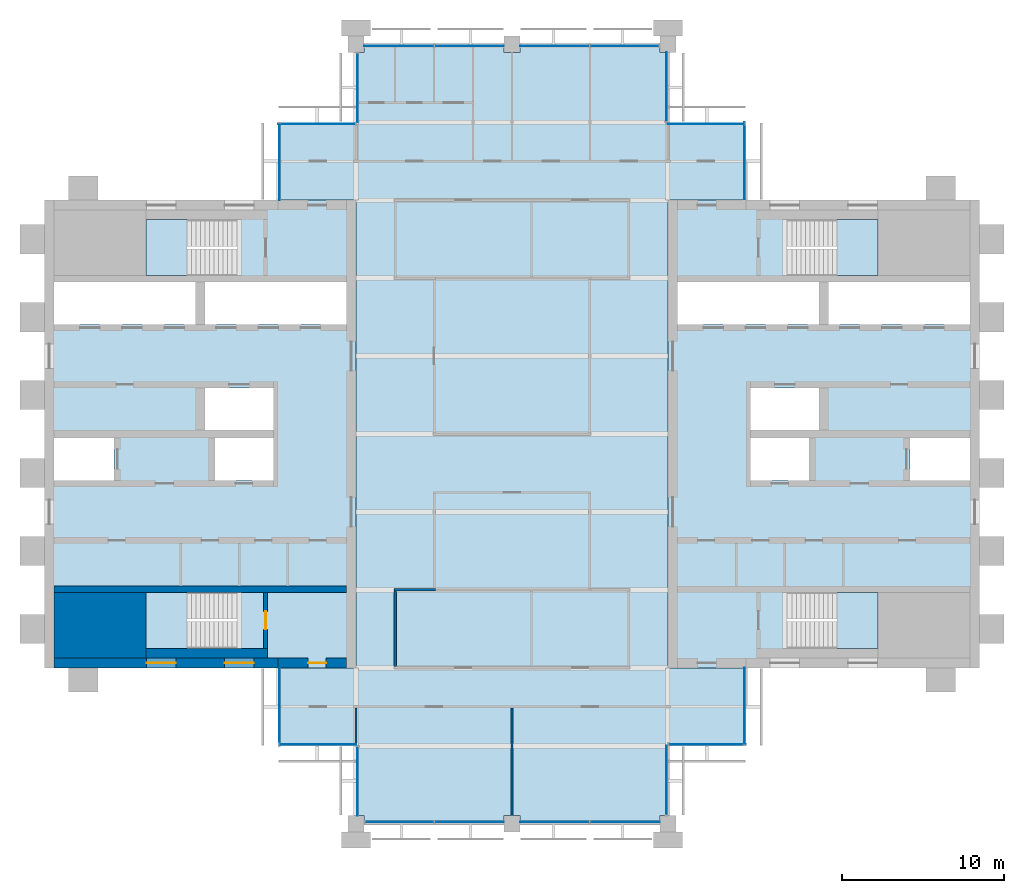
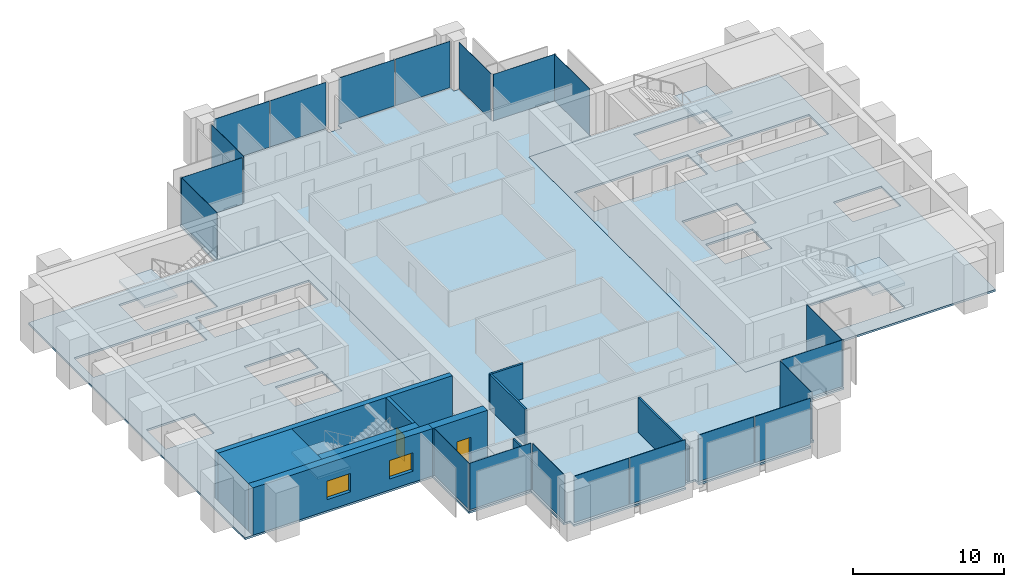
# One storey, part 7 of 13: 20 plates, 10 walls, 7 slabs, 2 doors, 2 windows, 4 openings, 18 elements without a shape of their own.
"""IFC4 building model written with IfcOpenShell, lengths in metres."""

from ifc_helpers import new_model, si_unit, direction, frame, frame_2d, origin, origin_2d, place, context, subcontext, project, spatial, polyline, rectangle, outline, extrude, material, layer, layer_set, type_object, element, fill, aggregate, save


model = new_model("IFC4")

# Units and contexts
model_context = context("Model", 3, precision=1e-05, world=origin(), true_north=direction((0.0, 1.0)))
body_context = subcontext(model_context, "Body", "Model", "MODEL_VIEW")
ifc_project = project(units=[si_unit("LENGTHUNIT", "METRE"), si_unit("AREAUNIT", "SQUARE_METRE"), si_unit("VOLUMEUNIT", "CUBIC_METRE"), si_unit("PLANEANGLEUNIT", "RADIAN"), si_unit("MASSUNIT", "GRAM", prefix="KILO")], contexts=[model_context])

# Site, building, storey
site_placement = place(None, origin())
site = spatial("IfcSite", under=ifc_project, at=site_placement, CompositionType="ELEMENT")
building_placement = place(site_placement, origin())
building = spatial("IfcBuilding", under=site, at=building_placement, Name="Baori Bourse Tower", CompositionType="ELEMENT")
storey_placement = place(building_placement, frame((0.0, 0.0, 346.300048828125)))
storey = spatial("IfcBuildingStorey", under=building, at=storey_placement, Name="L77", CompositionType="ELEMENT", Elevation=346.300048828125)

# Curtain wall, plate
ifc_material_1 = material(Name="Pale anodised aluminium", Category="aluminium")
curtain_wall_type_1 = type_object("IfcCurtainWallType", Name="CW2 Curtain wall", PredefinedType="NOTDEFINED", material=ifc_material_1)
curtain_wall_1_placement = place(storey_placement, origin())
curtain_wall_1 = element("IfcCurtainWall", 1, at=curtain_wall_1_placement, inside=storey, type_object=curtain_wall_type_1, Name="Curtain wall CW2 L77 1", PredefinedType="NOTDEFINED")
ifc_material_2 = material(Name="Clear glass", Category="glass")
ifc_layer_1 = layer(ifc_material_2, 0.030029296875)
ifc_layer_set_1 = layer_set([ifc_layer_1], Name="CW2 Curtain wall panel")
plate_type_1 = type_object("IfcPlateType", Name="CW2 Curtain wall panel", PredefinedType="CURTAIN_PANEL", material=ifc_layer_set_1)
plate_1_placement = place(storey_placement, frame((43.110107421875, 40.827392578125, 0.06982421875), z_axis=(0.0, 0.0, 1.0), x_axis=(0.0, 1.0, 0.0)))
plate_1 = element("IfcPlate", 2, at=plate_1_placement, type_object=plate_type_1, Name="Curtain wall CW2 panel", PredefinedType="CURTAIN_PANEL", context=body_context, shape_type="SweptSolid", body=[
    extrude(rectangle(XDim=4.7451171875, YDim=0.030029296875, at=origin_2d()), origin(), (0.0, 0.0, 1.0), 3.77001953125),
])
aggregate(curtain_wall_1, [plate_1])

curtain_wall_2_placement = place(storey_placement, origin())
curtain_wall_2 = element("IfcCurtainWall", 3, at=curtain_wall_2_placement, inside=storey, type_object=curtain_wall_type_1, Name="Curtain wall CW2 L77 2", PredefinedType="NOTDEFINED")
plate_2_placement = place(storey_placement, frame((40.7724609375, 43.110107421875, 0.06982421875), z_axis=(0.0, 0.0, 1.0), x_axis=(-1.0, 0.0, 0.0)))
plate_2 = element("IfcPlate", 4, at=plate_2_placement, type_object=plate_type_1, Name="Curtain wall CW2 panel", PredefinedType="CURTAIN_PANEL", context=body_context, shape_type="SweptSolid", body=[
    extrude(rectangle(XDim=4.7451171875, YDim=0.030029296875, at=origin_2d()), origin(), (0.0, 0.0, 1.0), 3.77001953125),
])
aggregate(curtain_wall_2, [plate_2])

curtain_wall_3_placement = place(storey_placement, origin())
curtain_wall_3 = element("IfcCurtainWall", 5, at=curtain_wall_3_placement, inside=storey, type_object=curtain_wall_type_1, Name="Curtain wall CW2 L77 3", PredefinedType="NOTDEFINED")
plate_3_placement = place(storey_placement, frame((38.31005859375, 45.37744140625, 0.06982421875), z_axis=(0.0, 0.0, 1.0), x_axis=(0.0, 1.0, 0.0)))
plate_3 = element("IfcPlate", 6, at=plate_3_placement, type_object=plate_type_1, Name="Curtain wall CW2 panel", PredefinedType="CURTAIN_PANEL", context=body_context, shape_type="SweptSolid", body=[
    extrude(rectangle(XDim=4.2451171875, YDim=0.030029296875, at=origin_2d()), origin(), (0.0, 0.0, 1.0), 3.77001953125),
])
aggregate(curtain_wall_3, [plate_3])

curtain_wall_4_placement = place(storey_placement, origin())
curtain_wall_4 = element("IfcCurtainWall", 7, at=curtain_wall_4_placement, inside=storey, type_object=curtain_wall_type_1, Name="Curtain wall CW2 L77 5", PredefinedType="NOTDEFINED")
plate_4_placement = place(storey_placement, frame((19.2900390625, 45.322509765625, 0.06982421875), z_axis=(0.0, 0.0, 1.0), x_axis=(0.0, -1.0, 0.0)))
plate_4 = element("IfcPlate", 8, at=plate_4_placement, type_object=plate_type_1, Name="Curtain wall CW2 panel", PredefinedType="CURTAIN_PANEL", context=body_context, shape_type="SweptSolid", body=[
    extrude(rectangle(XDim=4.2451171875, YDim=0.030029296875, at=origin_2d()), origin(), (0.0, 0.0, 1.0), 3.77001953125),
])
aggregate(curtain_wall_4, [plate_4])

curtain_wall_5_placement = place(storey_placement, origin())
curtain_wall_5 = element("IfcCurtainWall", 9, at=curtain_wall_5_placement, inside=storey, type_object=curtain_wall_type_1, Name="Curtain wall CW2 L77 6", PredefinedType="NOTDEFINED")
plate_5_placement = place(storey_placement, frame((16.7724609375, 43.110107421875, 0.06982421875), z_axis=(0.0, 0.0, 1.0), x_axis=(-1.0, 0.0, 0.0)))
plate_5 = element("IfcPlate", 10, at=plate_5_placement, type_object=plate_type_1, Name="Curtain wall CW2 panel", PredefinedType="CURTAIN_PANEL", context=body_context, shape_type="SweptSolid", body=[
    extrude(rectangle(XDim=4.7451171875, YDim=0.030029296875, at=origin_2d()), origin(), (0.0, 0.0, 1.0), 3.77001953125),
])
aggregate(curtain_wall_5, [plate_5])

curtain_wall_6_placement = place(storey_placement, origin())
curtain_wall_6 = element("IfcCurtainWall", 11, at=curtain_wall_6_placement, inside=storey, type_object=curtain_wall_type_1, Name="Curtain wall CW2 L77 7", PredefinedType="NOTDEFINED")
plate_6_placement = place(storey_placement, frame((14.489990234375, 40.7724609375, 0.06982421875), z_axis=(0.0, 0.0, 1.0), x_axis=(0.0, -1.0, 0.0)))
plate_6 = element("IfcPlate", 12, at=plate_6_placement, type_object=plate_type_1, Name="Curtain wall CW2 panel", PredefinedType="CURTAIN_PANEL", context=body_context, shape_type="SweptSolid", body=[
    extrude(rectangle(XDim=4.7451171875, YDim=0.030029296875, at=origin_2d()), origin(), (0.0, 0.0, 1.0), 3.77001953125),
])
aggregate(curtain_wall_6, [plate_6])

curtain_wall_7_placement = place(storey_placement, origin())
curtain_wall_7 = element("IfcCurtainWall", 13, at=curtain_wall_7_placement, inside=storey, type_object=curtain_wall_type_1, Name="Curtain wall CW2 L77 8", PredefinedType="NOTDEFINED")
plate_7_placement = place(storey_placement, frame((14.489990234375, 7.172607421875, 0.06982421875), z_axis=(0.0, 0.0, 1.0), x_axis=(0.0, -1.0, 0.0)))
plate_7 = element("IfcPlate", 14, at=plate_7_placement, type_object=plate_type_1, Name="Curtain wall CW2 panel", PredefinedType="CURTAIN_PANEL", context=body_context, shape_type="SweptSolid", body=[
    extrude(rectangle(XDim=4.7451171875, YDim=0.030029296875, at=origin_2d()), origin(), (0.0, 0.0, 1.0), 3.77001953125),
])
aggregate(curtain_wall_7, [plate_7])

curtain_wall_8_placement = place(storey_placement, origin())
curtain_wall_8 = element("IfcCurtainWall", 15, at=curtain_wall_8_placement, inside=storey, type_object=curtain_wall_type_1, Name="Curtain wall CW2 L77 9", PredefinedType="NOTDEFINED")
plate_8_placement = place(storey_placement, frame((16.827392578125, 4.889892578125, 0.06982421875), z_axis=(0.0, 0.0, 1.0), x_axis=(1.0, 0.0, 0.0)))
plate_8 = element("IfcPlate", 16, at=plate_8_placement, type_object=plate_type_1, Name="Curtain wall CW2 panel", PredefinedType="CURTAIN_PANEL", context=body_context, shape_type="SweptSolid", body=[
    extrude(rectangle(XDim=4.7451171875, YDim=0.030029296875, at=origin_2d()), origin(), (0.0, 0.0, 1.0), 3.77001953125),
])
aggregate(curtain_wall_8, [plate_8])

curtain_wall_9_placement = place(storey_placement, origin())
curtain_wall_9 = element("IfcCurtainWall", 17, at=curtain_wall_9_placement, inside=storey, type_object=curtain_wall_type_1, Name="Curtain wall CW2 L77 10", PredefinedType="NOTDEFINED")
plate_9_placement = place(storey_placement, frame((19.2900390625, 2.62255859375, 0.06982421875), z_axis=(0.0, 0.0, 1.0), x_axis=(0.0, -1.0, 0.0)))
plate_9 = element("IfcPlate", 18, at=plate_9_placement, type_object=plate_type_1, Name="Curtain wall CW2 panel", PredefinedType="CURTAIN_PANEL", context=body_context, shape_type="SweptSolid", body=[
    extrude(rectangle(XDim=4.2451171875, YDim=0.030029296875, at=origin_2d()), origin(), (0.0, 0.0, 1.0), 3.77001953125),
])
aggregate(curtain_wall_9, [plate_9])

curtain_wall_10_placement = place(storey_placement, origin())
curtain_wall_10 = element("IfcCurtainWall", 19, at=curtain_wall_10_placement, inside=storey, type_object=curtain_wall_type_1, Name="Curtain wall CW2 L77 12", PredefinedType="NOTDEFINED")
plate_10_placement = place(storey_placement, frame((38.31005859375, 2.677490234375, 0.06982421875), z_axis=(0.0, 0.0, 1.0), x_axis=(0.0, 1.0, 0.0)))
plate_10 = element("IfcPlate", 20, at=plate_10_placement, type_object=plate_type_1, Name="Curtain wall CW2 panel", PredefinedType="CURTAIN_PANEL", context=body_context, shape_type="SweptSolid", body=[
    extrude(rectangle(XDim=4.2451171875, YDim=0.030029296875, at=origin_2d()), origin(), (0.0, 0.0, 1.0), 3.77001953125),
])
aggregate(curtain_wall_10, [plate_10])

curtain_wall_11_placement = place(storey_placement, origin())
curtain_wall_11 = element("IfcCurtainWall", 21, at=curtain_wall_11_placement, inside=storey, type_object=curtain_wall_type_1, Name="Curtain wall CW2 L77 13", PredefinedType="NOTDEFINED")
plate_11_placement = place(storey_placement, frame((40.827392578125, 4.889892578125, 0.06982421875), z_axis=(0.0, 0.0, 1.0), x_axis=(1.0, 0.0, 0.0)))
plate_11 = element("IfcPlate", 22, at=plate_11_placement, type_object=plate_type_1, Name="Curtain wall CW2 panel", PredefinedType="CURTAIN_PANEL", context=body_context, shape_type="SweptSolid", body=[
    extrude(rectangle(XDim=4.7451171875, YDim=0.030029296875, at=origin_2d()), origin(), (0.0, 0.0, 1.0), 3.77001953125),
])
aggregate(curtain_wall_11, [plate_11])

curtain_wall_12_placement = place(storey_placement, origin())
curtain_wall_12 = element("IfcCurtainWall", 23, at=curtain_wall_12_placement, inside=storey, type_object=curtain_wall_type_1, Name="Curtain wall CW2 L77 14", PredefinedType="NOTDEFINED")
plate_12_placement = place(storey_placement, frame((43.110107421875, 7.2275390625, 0.06982421875), z_axis=(0.0, 0.0, 1.0), x_axis=(0.0, 1.0, 0.0)))
plate_12 = element("IfcPlate", 24, at=plate_12_placement, type_object=plate_type_1, Name="Curtain wall CW2 panel", PredefinedType="CURTAIN_PANEL", context=body_context, shape_type="SweptSolid", body=[
    extrude(rectangle(XDim=4.7451171875, YDim=0.030029296875, at=origin_2d()), origin(), (0.0, 0.0, 1.0), 3.77001953125),
])
aggregate(curtain_wall_12, [plate_12])

# Curtain wall, plates
ifc_material_3 = material(Name="Pale anodised aluminium", Category="aluminium")
curtain_wall_type_2 = type_object("IfcCurtainWallType", Name="CW5 Curtain wall", PredefinedType="NOTDEFINED", material=ifc_material_3)
curtain_wall_13_placement = place(storey_placement, origin())
curtain_wall_13 = element("IfcCurtainWall", 25, at=curtain_wall_13_placement, inside=storey, type_object=curtain_wall_type_2, Name="Curtain wall CW5 L77 4", PredefinedType="NOTDEFINED")
ifc_material_4 = material(Name="Clear glass", Category="glass")
ifc_layer_2 = layer(ifc_material_4, 0.035888671875)
ifc_layer_set_2 = layer_set([ifc_layer_2], Name="CW5 Curtain wall panel")
plate_type_2 = type_object("IfcPlateType", Name="CW5 Curtain wall panel", PredefinedType="CURTAIN_PANEL", material=ifc_layer_set_2)
plate_13_placement = place(storey_placement, frame((35.733642578125, 47.889892578125, 0.0849609375), z_axis=(0.0, 0.0, 1.0), x_axis=(-1.0, 0.0, 0.0)))
plate_13 = element("IfcPlate", 26, at=plate_13_placement, type_object=plate_type_2, Name="Curtain wall CW5 panel", PredefinedType="CURTAIN_PANEL", context=body_context, shape_type="SweptSolid", body=[
    extrude(rectangle(XDim=4.202392578125, YDim=0.035888671875, at=origin_2d()), origin(), (0.0, 0.0, 1.0), 3.7548828125),
])
plate_14_placement = place(storey_placement, frame((31.433837890625, 47.889892578125, 0.0849609375), z_axis=(0.0, 0.0, 1.0), x_axis=(-1.0, 0.0, 0.0)))
plate_14 = element("IfcPlate", 27, at=plate_14_placement, type_object=plate_type_2, Name="Curtain wall CW5 panel", PredefinedType="CURTAIN_PANEL", context=body_context, shape_type="SweptSolid", body=[
    extrude(rectangle(XDim=4.267578125, YDim=0.035888671875, at=origin_2d()), origin(), (0.0, 0.0, 1.0), 3.7548828125),
])
plate_15_placement = place(storey_placement, frame((26.166259765625, 47.889892578125, 0.0849609375), z_axis=(0.0, 0.0, 1.0), x_axis=(-1.0, 0.0, 0.0)))
plate_15 = element("IfcPlate", 28, at=plate_15_placement, type_object=plate_type_2, Name="Curtain wall CW5 panel", PredefinedType="CURTAIN_PANEL", context=body_context, shape_type="SweptSolid", body=[
    extrude(rectangle(XDim=4.267578125, YDim=0.035888671875, at=origin_2d()), origin(), (0.0, 0.0, 1.0), 3.7548828125),
])
plate_16_placement = place(storey_placement, frame((21.833740234375, 47.889892578125, 0.0849609375), z_axis=(0.0, 0.0, 1.0), x_axis=(-1.0, 0.0, 0.0)))
plate_16 = element("IfcPlate", 29, at=plate_16_placement, type_object=plate_type_2, Name="Curtain wall CW5 panel", PredefinedType="CURTAIN_PANEL", context=body_context, shape_type="SweptSolid", body=[
    extrude(rectangle(XDim=4.267578125, YDim=0.035888671875, at=origin_2d()), origin(), (0.0, 0.0, 1.0), 3.7548828125),
])
aggregate(curtain_wall_13, [plate_13, plate_14, plate_15, plate_16])

curtain_wall_14_placement = place(storey_placement, origin())
curtain_wall_14 = element("IfcCurtainWall", 30, at=curtain_wall_14_placement, inside=storey, type_object=curtain_wall_type_2, Name="Curtain wall CW5 L77 11", PredefinedType="NOTDEFINED")
plate_17_placement = place(storey_placement, frame((21.8662109375, 0.110107421875, 0.0849609375), z_axis=(0.0, 0.0, 1.0), x_axis=(1.0, 0.0, 0.0)))
plate_17 = element("IfcPlate", 31, at=plate_17_placement, type_object=plate_type_2, Name="Curtain wall CW5 panel", PredefinedType="CURTAIN_PANEL", context=body_context, shape_type="SweptSolid", body=[
    extrude(rectangle(XDim=4.202392578125, YDim=0.035888671875, at=origin_2d()), origin(), (0.0, 0.0, 1.0), 3.7548828125),
])
plate_18_placement = place(storey_placement, frame((26.166259765625, 0.110107421875, 0.0849609375), z_axis=(0.0, 0.0, 1.0), x_axis=(1.0, 0.0, 0.0)))
plate_18 = element("IfcPlate", 32, at=plate_18_placement, type_object=plate_type_2, Name="Curtain wall CW5 panel", PredefinedType="CURTAIN_PANEL", context=body_context, shape_type="SweptSolid", body=[
    extrude(rectangle(XDim=4.267578125, YDim=0.035888671875, at=origin_2d()), origin(), (0.0, 0.0, 1.0), 3.7548828125),
])
plate_19_placement = place(storey_placement, frame((31.433837890625, 0.110107421875, 0.0849609375), z_axis=(0.0, 0.0, 1.0), x_axis=(1.0, 0.0, 0.0)))
plate_19 = element("IfcPlate", 33, at=plate_19_placement, type_object=plate_type_2, Name="Curtain wall CW5 panel", PredefinedType="CURTAIN_PANEL", context=body_context, shape_type="SweptSolid", body=[
    extrude(rectangle(XDim=4.267578125, YDim=0.035888671875, at=origin_2d()), origin(), (0.0, 0.0, 1.0), 3.7548828125),
])
plate_20_placement = place(storey_placement, frame((35.766357421875, 0.110107421875, 0.0849609375), z_axis=(0.0, 0.0, 1.0), x_axis=(1.0, 0.0, 0.0)))
plate_20 = element("IfcPlate", 34, at=plate_20_placement, type_object=plate_type_2, Name="Curtain wall CW5 panel", PredefinedType="CURTAIN_PANEL", context=body_context, shape_type="SweptSolid", body=[
    extrude(rectangle(XDim=4.267578125, YDim=0.035888671875, at=origin_2d()), origin(), (0.0, 0.0, 1.0), 3.7548828125),
])
aggregate(curtain_wall_14, [plate_17, plate_18, plate_19, plate_20])

# Slabs
ifc_material_5 = material(Name="Concrete f'c 50 MPa", Category="concrete")
ifc_layer_3 = layer(ifc_material_5, 0.159912109375)
ifc_layer_set_3 = layer_set([ifc_layer_3], Name="Core slab 160")
slab_type_1 = type_object("IfcSlabType", Name="Core slab 160", PredefinedType="FLOOR", material=ifc_layer_set_3)
slab_1_placement = place(storey_placement, frame((0.0, 0.0, -0.16015625)))
element("IfcSlab", 35, at=slab_1_placement, inside=storey, type_object=slab_type_1, Name="Core floor slab W01", PredefinedType="FLOOR", context=body_context, shape_type="SweptSolid", body=[
    extrude(outline(polyline([(19.199951171875, 38.39990234375), (0.0, 38.39990234375), (0.0, 9.60009765625), (19.199951171875, 9.60009765625), (19.199951171875, 38.39990234375)]), holes=[polyline([(9.89990234375, 33.35009765625), (18.60009765625, 33.35009765625), (18.60009765625, 30.75), (9.89990234375, 30.75), (9.89990234375, 33.35009765625)]), polyline([(10.5, 21.14990234375), (10.5, 23.75), (14.10009765625, 23.75), (14.10009765625, 21.14990234375), (10.5, 21.14990234375)]), polyline([(14.10009765625, 24.25), (9.89990234375, 24.25), (9.89990234375, 26.85009765625), (14.10009765625, 26.85009765625), (14.10009765625, 24.25)]), polyline([(6.25, 14.25), (11.84912109375, 14.25), (11.84912109375, 10.800048828125), (6.25, 10.800048828125), (6.25, 14.25)]), polyline([(11.84912109375, 37.199951171875), (11.84912109375, 33.75), (6.25, 33.75), (6.25, 37.199951171875), (11.84912109375, 37.199951171875)]), polyline([(0.60009765625, 30.75), (0.60009765625, 33.35009765625), (9.300048828125, 33.35009765625), (9.300048828125, 30.75), (0.60009765625, 30.75)]), polyline([(4.300048828125, 23.75), (4.300048828125, 21.14990234375), (0.60009765625, 21.14990234375), (0.60009765625, 23.75), (4.300048828125, 23.75)])]), origin(), (0.0, 0.0, 1.0), 0.16015625),
])
slab_2_placement = place(storey_placement, frame((0.0, 0.0, -0.16015625)))
element("IfcSlab", 36, at=slab_2_placement, inside=storey, type_object=slab_type_1, Name="Core floor slab E01", PredefinedType="FLOOR", context=body_context, shape_type="SweptSolid", body=[
    extrude(outline(polyline([(57.60009765625, 9.60009765625), (57.60009765625, 38.39990234375), (38.39990234375, 38.39990234375), (38.39990234375, 9.60009765625), (57.60009765625, 9.60009765625)]), holes=[polyline([(48.300048828125, 33.35009765625), (57.0, 33.35009765625), (57.0, 30.75), (48.300048828125, 30.75), (48.300048828125, 33.35009765625)]), polyline([(57.0, 21.14990234375), (53.300048828125, 21.14990234375), (53.300048828125, 23.75), (57.0, 23.75), (57.0, 21.14990234375)]), polyline([(45.750732421875, 14.25), (51.35009765625, 14.25), (51.35009765625, 10.800048828125), (45.750732421875, 10.800048828125), (45.750732421875, 14.25)]), polyline([(51.35009765625, 37.199951171875), (51.35009765625, 33.75), (45.750732421875, 33.75), (45.750732421875, 37.199951171875), (51.35009765625, 37.199951171875)]), polyline([(43.5, 24.25), (43.5, 26.85009765625), (47.699951171875, 26.85009765625), (47.699951171875, 24.25), (43.5, 24.25)]), polyline([(47.699951171875, 33.35009765625), (47.699951171875, 30.75), (39.0, 30.75), (39.0, 33.35009765625), (47.699951171875, 33.35009765625)]), polyline([(43.5, 23.75), (47.10009765625, 23.75), (47.10009765625, 21.14990234375), (43.5, 21.14990234375), (43.5, 23.75)])]), origin(), (0.0, 0.0, 1.0), 0.16015625),
])

# Stair, slab
ifc_material_6 = material(Name="Concrete f'c 50 MPa", Category="concrete")
stair_type = type_object("IfcStairType", Name="Core stair", PredefinedType="HALF_TURN_STAIR", material=ifc_material_6)
stair_1_placement = place(storey_placement, origin())
stair_1 = element("IfcStair", 37, at=stair_1_placement, inside=storey, type_object=stair_type, Name="L77 Stair WA", PredefinedType="HALF_TURN_STAIR")
ifc_material_7 = material(Name="Concrete f'c 50 MPa", Category="concrete")
slab_type_2 = type_object("IfcSlabType", Name="Core stair landing", PredefinedType="LANDING", material=ifc_material_7)
slab_3_placement = place(storey_placement, frame((0.0, 0.0, 1.800048828125)))
slab_3 = element("IfcSlab", 38, at=slab_3_placement, type_object=slab_type_2, Name="ST1 landing 1", PredefinedType="LANDING", context=body_context, shape_type="SweptSolid", body=[
    extrude(outline(polyline([(8.77001953125, 14.25), (6.25, 14.25), (6.25, 10.800048828125), (8.77001953125, 10.800048828125), (8.77001953125, 14.25)])), origin(), (0.0, 0.0, 1.0), 0.199951171875),
])
aggregate(stair_1, [slab_3])

stair_2_placement = place(storey_placement, origin())
stair_2 = element("IfcStair", 39, at=stair_2_placement, inside=storey, type_object=stair_type, Name="L77 Stair WB", PredefinedType="HALF_TURN_STAIR")
slab_4_placement = place(storey_placement, frame((0.0, 0.0, 1.800048828125)))
slab_4 = element("IfcSlab", 40, at=slab_4_placement, type_object=slab_type_2, Name="ST2 landing 1", PredefinedType="LANDING", context=body_context, shape_type="SweptSolid", body=[
    extrude(outline(polyline([(8.77001953125, 37.199951171875), (6.25, 37.199951171875), (6.25, 33.75), (8.77001953125, 33.75), (8.77001953125, 37.199951171875)])), origin(), (0.0, 0.0, 1.0), 0.199951171875),
])
aggregate(stair_2, [slab_4])

stair_3_placement = place(storey_placement, origin())
stair_3 = element("IfcStair", 41, at=stair_3_placement, inside=storey, type_object=stair_type, Name="L77 Stair EA", PredefinedType="HALF_TURN_STAIR")
slab_5_placement = place(storey_placement, frame((0.0, 0.0, 1.800048828125)))
slab_5 = element("IfcSlab", 42, at=slab_5_placement, type_object=slab_type_2, Name="ST3 landing 1", PredefinedType="LANDING", context=body_context, shape_type="SweptSolid", body=[
    extrude(outline(polyline([(48.830078125, 10.800048828125), (51.35009765625, 10.800048828125), (51.35009765625, 14.25), (48.830078125, 14.25), (48.830078125, 10.800048828125)])), origin(), (0.0, 0.0, 1.0), 0.199951171875),
])
aggregate(stair_3, [slab_5])

stair_4_placement = place(storey_placement, origin())
stair_4 = element("IfcStair", 43, at=stair_4_placement, inside=storey, type_object=stair_type, Name="L77 Stair EB", PredefinedType="HALF_TURN_STAIR")
slab_6_placement = place(storey_placement, frame((0.0, 0.0, 1.800048828125)))
slab_6 = element("IfcSlab", 44, at=slab_6_placement, type_object=slab_type_2, Name="ST4 landing 1", PredefinedType="LANDING", context=body_context, shape_type="SweptSolid", body=[
    extrude(outline(polyline([(48.830078125, 33.75), (51.35009765625, 33.75), (51.35009765625, 37.199951171875), (48.830078125, 37.199951171875), (48.830078125, 33.75)])), origin(), (0.0, 0.0, 1.0), 0.199951171875),
])
aggregate(stair_4, [slab_6])

# Slab
ifc_material_8 = material(Name="Concrete f'c 40 MPa", Category="concrete")
ifc_layer_4 = layer(ifc_material_8, 0.159912109375)
ifc_layer_set_4 = layer_set([ifc_layer_4], Name="Floor slab 160")
slab_type_3 = type_object("IfcSlabType", Name="Floor slab 160", PredefinedType="FLOOR", material=ifc_layer_set_4)
slab_7_placement = place(storey_placement, frame((0.0, 0.0, -0.16015625)))
element("IfcSlab", 45, at=slab_7_placement, inside=storey, type_object=slab_type_3, Name="Floor slab L77", PredefinedType="FLOOR", context=body_context, shape_type="SweptSolid", body=[
    extrude(outline(polyline([(19.199951171875, 4.800048828125), (14.39990234375, 4.800048828125), (14.39990234375, 9.60009765625), (19.199951171875, 9.60009765625), (19.199951171875, 38.39990234375), (14.39990234375, 38.39990234375), (14.39990234375, 43.199951171875), (19.199951171875, 43.199951171875), (19.199951171875, 47.5), (19.699951171875, 47.5), (19.699951171875, 48.0), (28.300048828125, 48.0), (28.300048828125, 47.5), (29.300048828125, 47.5), (29.300048828125, 48.0), (37.89990234375, 48.0), (37.89990234375, 47.5), (38.39990234375, 47.5), (38.39990234375, 43.199951171875), (43.199951171875, 43.199951171875), (43.199951171875, 38.39990234375), (38.39990234375, 38.39990234375), (38.39990234375, 9.60009765625), (43.199951171875, 9.60009765625), (43.199951171875, 4.800048828125), (38.39990234375, 4.800048828125), (38.39990234375, 0.5), (37.89990234375, 0.5), (37.89990234375, 0.0), (29.300048828125, 0.0), (29.300048828125, 0.5), (28.300048828125, 0.5), (28.300048828125, 0.0), (19.699951171875, 0.0), (19.699951171875, 0.5), (19.199951171875, 0.5), (19.199951171875, 4.800048828125)])), origin(), (0.0, 0.0, 1.0), 0.16015625),
])

# Wall
ifc_material_9 = material(Name="Concrete f'c 40 MPa", Category="concrete")
wall_type_1 = type_object("IfcWallType", Name="Core corner block f'c 40", PredefinedType="SHEAR", material=ifc_material_9)
wall_1_placement = place(storey_placement, frame((0.60009765625, 12.22509765625, 0.0), z_axis=(0.0, 0.0, 1.0), x_axis=(1.0, 0.0, 0.0)))
element("IfcWall", 46, at=wall_1_placement, inside=storey, type_object=wall_type_1, Name="Core wall W05", PredefinedType="SHEAR", context=body_context, shape_type="SweptSolid", body=[
    extrude(rectangle(XDim=5.64990234375, YDim=4.050048828125, at=frame_2d((2.824951171875, 0.0))), origin(), (0.0, 0.0, 1.0), 3.83984375),
])

# Wall, openings, windows
ifc_material_10 = material(Name="Concrete f'c 40 MPa", Category="concrete")
ifc_layer_5 = layer(ifc_material_10, 0.60009765625)
ifc_layer_set_5 = layer_set([ifc_layer_5], Name="Core wall 600 f'c 40")
wall_type_2 = type_object("IfcWallType", Name="Core wall 600 f'c 40", PredefinedType="SHEAR", material=ifc_layer_set_5)
wall_2_placement = place(storey_placement, frame((14.39990234375, 9.89990234375, 0.0), z_axis=(0.0, 0.0, 1.0), x_axis=(-1.0, 0.0, 0.0)))
wall_2 = element("IfcWall", 47, at=wall_2_placement, inside=storey, type_object=wall_type_2, Name="Core wall W02", PredefinedType="SHEAR", context=body_context, shape_type="SweptSolid", body=[
    extrude(rectangle(XDim=13.7998046875, YDim=0.60009765625, at=frame_2d((6.89990234375, 0.0))), origin(), (0.0, 0.0, 1.0), 3.83984375),
])
opening_1_placement = place(wall_2_placement, frame((6.300048828125, 0.0, 0.89990234375)))
opening_1 = element("IfcOpeningElement", 48, at=opening_1_placement, cuts=wall_2, Name="Opening L77-KW103", PredefinedType="OPENING", context=body_context, shape_type="SweptSolid", body=[
    extrude(rectangle(XDim=1.800048828125, YDim=1.5, at=frame_2d((0.89990234375, 0.75))), frame((0.0, 0.31005859375, 0.0), z_axis=(0.0, -1.0, 0.0), x_axis=(1.0, 0.0, 0.0)), (0.0, 0.0, 1.0), 0.6201171875),
])
opening_2_placement = place(wall_2_placement, frame((1.5, 0.0, 0.89990234375)))
opening_2 = element("IfcOpeningElement", 49, at=opening_2_placement, cuts=wall_2, Name="Opening L77-KW104", PredefinedType="OPENING", context=body_context, shape_type="SweptSolid", body=[
    extrude(rectangle(XDim=1.800048828125, YDim=1.5, at=frame_2d((0.89990234375, 0.75))), frame((0.0, 0.31005859375, 0.0), z_axis=(0.0, -1.0, 0.0), x_axis=(1.0, 0.0, 0.0)), (0.0, 0.0, 1.0), 0.6201171875),
])
ifc_material_11 = material(Name="Pale anodised aluminium", Category="aluminium")
window_type = type_object("IfcWindowType", Name="Stair window 1800 x 1500", PartitioningType="SINGLE_PANEL", PredefinedType="WINDOW", material=ifc_material_11)
window_1_placement = place(opening_1_placement, origin())
window_1 = element("IfcWindow", 50, at=window_1_placement, inside=storey, type_object=window_type, Name="Stair window W L77 3", OverallHeight=1.5, OverallWidth=1.800048828125, PartitioningType="SINGLE_PANEL", PredefinedType="WINDOW", context=body_context, shape_type="SweptSolid", body=[
    extrude(rectangle(XDim=1.800048828125, YDim=1.5, at=frame_2d((0.89990234375, 0.75))), frame((0.0, 0.030029296875, 0.0), z_axis=(0.0, -1.0, 0.0), x_axis=(1.0, 0.0, 0.0)), (0.0, 0.0, 1.0), 0.06005859375),
])
fill(opening_1, window_1)
window_2_placement = place(opening_2_placement, origin())
window_2 = element("IfcWindow", 51, at=window_2_placement, inside=storey, type_object=window_type, Name="Stair window W L77 4", OverallHeight=1.5, OverallWidth=1.800048828125, PartitioningType="SINGLE_PANEL", PredefinedType="WINDOW", context=body_context, shape_type="SweptSolid", body=[
    extrude(rectangle(XDim=1.800048828125, YDim=1.5, at=frame_2d((0.89990234375, 0.75))), frame((0.0, 0.030029296875, 0.0), z_axis=(0.0, -1.0, 0.0), x_axis=(1.0, 0.0, 0.0)), (0.0, 0.0, 1.0), 0.06005859375),
])
fill(opening_2, window_2)

# Wall, opening, door
wall_3_placement = place(storey_placement, frame((18.60009765625, 9.89990234375, 0.0), z_axis=(0.0, 0.0, 1.0), x_axis=(-1.0, 0.0, 0.0)))
wall_3 = element("IfcWall", 52, at=wall_3_placement, inside=storey, type_object=wall_type_2, Name="Core wall W03", PredefinedType="SHEAR", context=body_context, shape_type="SweptSolid", body=[
    extrude(rectangle(XDim=4.2001953125, YDim=0.60009765625, at=frame_2d((2.10009765625, 0.0))), origin(), (0.0, 0.0, 1.0), 3.83984375),
])
opening_3_placement = place(wall_3_placement, frame((1.25, 0.0, 0.0)))
opening_3 = element("IfcOpeningElement", 53, at=opening_3_placement, cuts=wall_3, Name="Opening L77-D102", PredefinedType="OPENING", context=body_context, shape_type="SweptSolid", body=[
    extrude(rectangle(XDim=1.10009765625, YDim=2.10009765625, at=frame_2d((0.550048828125, 1.050048828125))), frame((0.0, 0.31005859375, 0.0), z_axis=(0.0, -1.0, 0.0), x_axis=(1.0, 0.0, 0.0)), (0.0, 0.0, 1.0), 0.6201171875),
])
ifc_material_12 = material(Name="Painted steel door", Category="steel")
door_type = type_object("IfcDoorType", Name="Stair door 1100", OperationType="SINGLE_SWING_LEFT", PredefinedType="DOOR", material=ifc_material_12)
door_1_placement = place(opening_3_placement, origin())
door_1 = element("IfcDoor", 54, at=door_1_placement, inside=storey, type_object=door_type, Name="Stair vestibule door A W L77", OperationType="SINGLE_SWING_LEFT", OverallHeight=2.10009765625, OverallWidth=1.10009765625, PredefinedType="DOOR", context=body_context, shape_type="SweptSolid", body=[
    extrude(rectangle(XDim=1.10009765625, YDim=2.10009765625, at=frame_2d((0.550048828125, 1.050048828125))), frame((0.0, 0.02490234375, 0.0), z_axis=(0.0, -1.0, 0.0), x_axis=(1.0, 0.0, 0.0)), (0.0, 0.0, 1.0), 0.050048828125),
])
fill(opening_3, door_1)

# Walls
ifc_material_13 = material(Name="Gypsum board partition")
ifc_layer_6 = layer(ifc_material_13, 0.14990234375)
ifc_layer_set_6 = layer_set([ifc_layer_6], Name="Corridor partition 150")
wall_type_3 = type_object("IfcWallType", Name="Corridor partition 150", PredefinedType="PARTITIONING", material=ifc_layer_set_6)
wall_4_placement = place(storey_placement, frame((21.52490234375, 14.39990234375, 0.0), z_axis=(0.0, 0.0, 1.0), x_axis=(1.0, 0.0, 0.0)))
element("IfcWall", 55, at=wall_4_placement, inside=storey, type_object=wall_type_3, Name="Partition", PredefinedType="PARTITIONING", context=body_context, shape_type="SweptSolid", body=[
    extrude(rectangle(XDim=2.550048828125, YDim=0.14990234375, at=frame_2d((1.27490234375, 0.0))), origin(), (0.0, 0.0, 1.0), 2.849365234375),
])
wall_5_placement = place(storey_placement, frame((21.60009765625, 9.675048828125, 0.0), z_axis=(0.0, 0.0, 1.0), x_axis=(0.0, 1.0, 0.0)))
element("IfcWall", 56, at=wall_5_placement, inside=storey, type_object=wall_type_3, Name="Partition", PredefinedType="PARTITIONING", context=body_context, shape_type="SweptSolid", body=[
    extrude(rectangle(XDim=4.64990234375, YDim=0.14990234375, at=frame_2d((2.324951171875, 0.0))), origin(), (0.0, 0.0, 1.0), 2.849365234375),
])
ifc_material_14 = material(Name="Gypsum board partition")
ifc_layer_7 = layer(ifc_material_14, 0.125)
ifc_layer_set_7 = layer_set([ifc_layer_7], Name="Partition 125")
wall_type_4 = type_object("IfcWallType", Name="Partition 125", PredefinedType="PARTITIONING", material=ifc_layer_set_7)
wall_6_placement = place(storey_placement, frame((19.199951171875, 4.89990234375, 0.0), z_axis=(0.0, 0.0, 1.0), x_axis=(0.0, 1.0, 0.0)))
element("IfcWall", 57, at=wall_6_placement, inside=storey, type_object=wall_type_4, Name="Partition", PredefinedType="PARTITIONING", context=body_context, shape_type="SweptSolid", body=[
    extrude(rectangle(XDim=2.22509765625, YDim=0.125, at=frame_2d((1.112548828125, 0.0))), origin(), (0.0, 0.0, 1.0), 2.849365234375),
])
wall_7_placement = place(storey_placement, frame((28.800048828125, 0.5, 0.0), z_axis=(0.0, 0.0, 1.0), x_axis=(0.0, 1.0, 0.0)))
element("IfcWall", 58, at=wall_7_placement, inside=storey, type_object=wall_type_4, Name="Partition", PredefinedType="PARTITIONING", context=body_context, shape_type="SweptSolid", body=[
    extrude(rectangle(XDim=6.625, YDim=0.125, at=frame_2d((3.3125, 0.0))), origin(), (0.0, 0.0, 1.0), 2.849365234375),
])

# Wall, opening, door
ifc_material_15 = material(Name="Concrete f'c 40 MPa", Category="concrete")
ifc_layer_8 = layer(ifc_material_15, 0.25)
ifc_layer_set_8 = layer_set([ifc_layer_8], Name="Shaft wall 250 f'c 40")
wall_type_5 = type_object("IfcWallType", Name="Shaft wall 250 f'c 40", PredefinedType="SHEAR", material=ifc_layer_set_8)
wall_8_placement = place(storey_placement, frame((13.625, 10.800048828125, 0.0), z_axis=(0.0, 0.0, 1.0), x_axis=(0.0, 1.0, 0.0)))
wall_8 = element("IfcWall", 59, at=wall_8_placement, inside=storey, type_object=wall_type_5, Name="Core wall W07", PredefinedType="SHEAR", context=body_context, shape_type="SweptSolid", body=[
    extrude(rectangle(XDim=3.449951171875, YDim=0.25, at=frame_2d((1.72509765625, 0.0))), origin(), (0.0, 0.0, 1.0), 3.83984375),
])
opening_4_placement = place(wall_8_placement, frame((1.175048828125, 0.0, 0.0)))
opening_4 = element("IfcOpeningElement", 60, at=opening_4_placement, cuts=wall_8, Name="Opening L77-D101", PredefinedType="OPENING", context=body_context, shape_type="SweptSolid", body=[
    extrude(rectangle(XDim=1.10009765625, YDim=2.10009765625, at=frame_2d((0.550048828125, 1.050048828125))), frame((0.0, 0.135009765625, 0.0), z_axis=(0.0, -1.0, 0.0), x_axis=(1.0, 0.0, 0.0)), (0.0, 0.0, 1.0), 0.27001953125),
])
door_2_placement = place(opening_4_placement, origin())
door_2 = element("IfcDoor", 61, at=door_2_placement, inside=storey, type_object=door_type, Name="Stair door A W L77", OperationType="SINGLE_SWING_LEFT", OverallHeight=2.10009765625, OverallWidth=1.10009765625, PredefinedType="DOOR", context=body_context, shape_type="SweptSolid", body=[
    extrude(rectangle(XDim=1.10009765625, YDim=2.10009765625, at=frame_2d((0.550048828125, 1.050048828125))), frame((0.0, 0.02490234375, 0.0), z_axis=(0.0, -1.0, 0.0), x_axis=(1.0, 0.0, 0.0)), (0.0, 0.0, 1.0), 0.050048828125),
])
fill(opening_4, door_2)

# Walls
ifc_material_16 = material(Name="Concrete f'c 40 MPa", Category="concrete")
ifc_layer_9 = layer(ifc_material_16, 0.39990234375)
ifc_layer_set_9 = layer_set([ifc_layer_9], Name="Shaft wall 400 f'c 40")
wall_type_6 = type_object("IfcWallType", Name="Shaft wall 400 f'c 40", PredefinedType="SHEAR", material=ifc_layer_set_9)
wall_9_placement = place(storey_placement, frame((0.60009765625, 14.449951171875, 0.0), z_axis=(0.0, 0.0, 1.0), x_axis=(1.0, 0.0, 0.0)))
element("IfcWall", 62, at=wall_9_placement, inside=storey, type_object=wall_type_6, Name="Core wall W08", PredefinedType="SHEAR", context=body_context, shape_type="SweptSolid", body=[
    extrude(rectangle(XDim=18.0, YDim=0.39990234375, at=frame_2d((9.0, 0.0))), origin(), (0.0, 0.0, 1.0), 3.83984375),
])
ifc_material_17 = material(Name="Concrete f'c 40 MPa", Category="concrete")
ifc_layer_10 = layer(ifc_material_17, 0.60009765625)
ifc_layer_set_10 = layer_set([ifc_layer_10], Name="Shaft wall 600 f'c 40")
wall_type_7 = type_object("IfcWallType", Name="Shaft wall 600 f'c 40", PredefinedType="SHEAR", material=ifc_layer_set_10)
wall_10_placement = place(storey_placement, frame((6.25, 10.5, 0.0), z_axis=(0.0, 0.0, 1.0), x_axis=(1.0, 0.0, 0.0)))
element("IfcWall", 63, at=wall_10_placement, inside=storey, type_object=wall_type_7, Name="Core wall W06", PredefinedType="SHEAR", context=body_context, shape_type="SweptSolid", body=[
    extrude(rectangle(XDim=7.5, YDim=0.60009765625, at=frame_2d((3.75, 0.0))), origin(), (0.0, 0.0, 1.0), 3.83984375),
])

save(model, "model.ifc")
